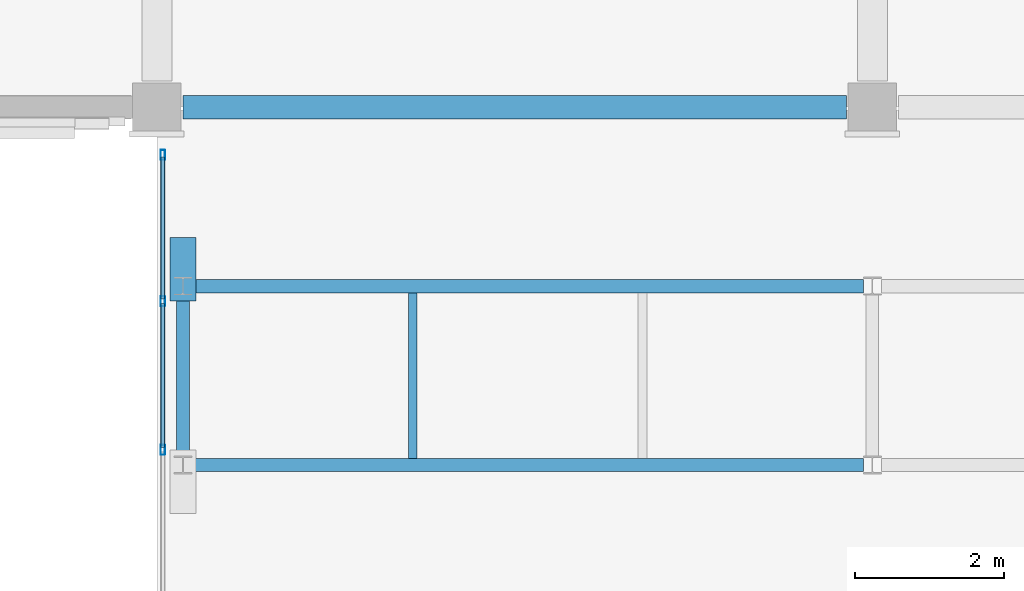
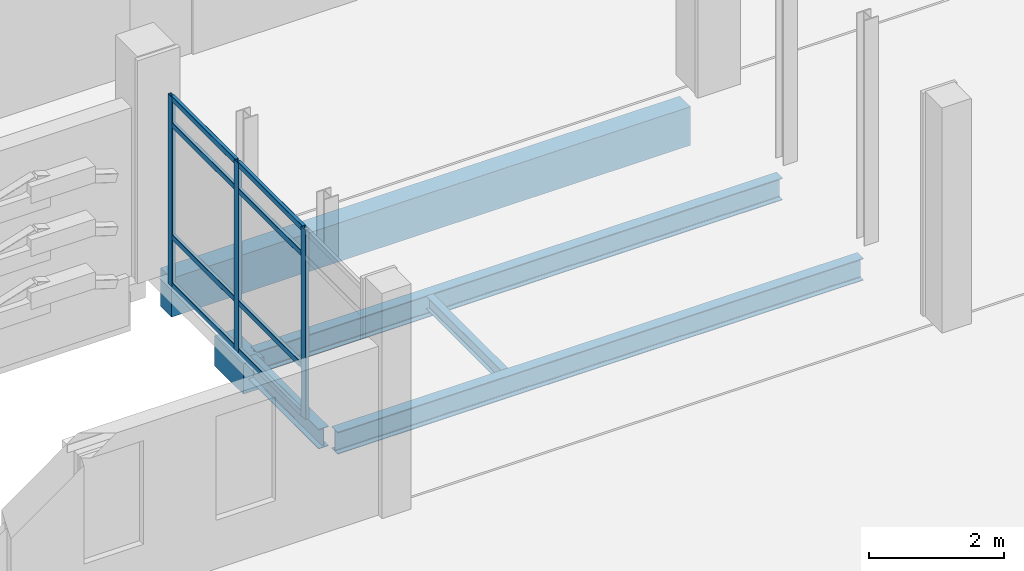
# One storey, part 15 of 72: 11 members, 6 beams, 1 element without a shape of its own.
"""IFC4 building model written with IfcOpenShell, lengths in metres."""

from ifc_helpers import new_model, si_unit, direction, frame, origin, origin_2d, place, context, subcontext, project, spatial, rectangle, hollow_rectangle, i_section, extrude, material, layer, layer_set, material_profile, profile_set, type_object, element, aggregate, save


model = new_model("IFC4")

# Units and contexts
model_context = context("Model", 3, precision=1e-05, world=origin(), true_north=direction((0.0, 1.0)))
body_context = subcontext(model_context, "Body", "Model", "MODEL_VIEW")
ifc_project = project(units=[si_unit("LENGTHUNIT", "METRE"), si_unit("AREAUNIT", "SQUARE_METRE"), si_unit("VOLUMEUNIT", "CUBIC_METRE"), si_unit("PLANEANGLEUNIT", "RADIAN"), si_unit("MASSUNIT", "GRAM", prefix="KILO")], contexts=[model_context])

# Site, building, storey
site_placement = place(None, origin())
site = spatial("IfcSite", under=ifc_project, at=site_placement, CompositionType="ELEMENT")
building_placement = place(site_placement, origin())
building = spatial("IfcBuilding", under=site, at=building_placement, Name="Asteropetra Specialist Clinic", CompositionType="ELEMENT")
storey_placement = place(building_placement, frame((0.0, 0.0, 12.580078125)))
storey = spatial("IfcBuildingStorey", under=building, at=storey_placement, Name="L03", CompositionType="ELEMENT", Elevation=12.580078125)

# Beams
ifc_material_1 = material(Name="Concrete C35/45", Category="concrete")
ifc_material_profile_1 = material_profile(ifc_material_1, rectangle(XDim=0.35009765625, YDim=0.550048828125, at=origin_2d()), Name="RCB 350x550")
ifc_profile_set_1 = profile_set([ifc_material_profile_1], Name="Concrete C35/45")
beam_type_1 = type_object("IfcBeamType", Name="BM-RC350x550", PredefinedType="BEAM", material=ifc_profile_set_1)
beam_1_placement = place(storey_placement, frame((9.949951171875, 67.0, -0.56005859375), z_axis=(0.0, 1.0, 0.0), x_axis=(-1.0, 0.0, 0.0)))
element("IfcBeam", 1, at=beam_1_placement, inside=storey, type_object=beam_type_1, Name="Bridge Bearing Seat Corbel CRB-18", PredefinedType="BEAM", context=body_context, shape_type="SweptSolid", body=[
    extrude(rectangle(XDim=0.35009765625, YDim=0.550048828125, at=origin_2d()), origin(), (0.0, 0.0, 1.0), 0.85009765625),
])
ifc_material_2 = material(Name="Steel S355", Category="steel")
ifc_material_profile_2 = material_profile(ifc_material_2, i_section(OverallWidth=0.169921875, OverallDepth=0.360107421875, WebThickness=0.008056640625, FlangeThickness=0.0126953125, FilletRadius=0.01806640625, at=origin_2d()), Name="IPE 360")
ifc_profile_set_2 = profile_set([ifc_material_profile_2], Name="Steel S355")
beam_type_2 = type_object("IfcBeamType", Name="BM-STL-IPE360", PredefinedType="BEAM", material=ifc_profile_set_2)
beam_2_placement = place(storey_placement, frame((9.949951171875, 64.919921875, -0.420166015625), z_axis=(0.0, 1.0, 0.0), x_axis=(-1.0, 0.0, 0.0)))
element("IfcBeam", 2, at=beam_2_placement, inside=storey, type_object=beam_type_2, Name="Beam BBMS4-1665", PredefinedType="BEAM", context=body_context, shape_type="SweptSolid", body=[
    extrude(i_section(OverallWidth=0.169921875, OverallDepth=0.360107421875, WebThickness=0.008056640625, FlangeThickness=0.0126953125, FilletRadius=0.01806640625, at=origin_2d()), origin(), (0.0, 0.0, 1.0), 2.16015625),
])
ifc_material_3 = material(Name="Steel S355", Category="steel")
ifc_material_profile_3 = material_profile(ifc_material_3, i_section(OverallWidth=0.179931640625, OverallDepth=0.39990234375, WebThickness=0.008544921875, FlangeThickness=0.013427734375, FilletRadius=0.02099609375, at=origin_2d()), Name="IPE 400")
ifc_profile_set_3 = profile_set([ifc_material_profile_3], Name="Steel S355")
beam_type_3 = type_object("IfcBeamType", Name="BM-STL-IPE400", PredefinedType="BEAM", material=ifc_profile_set_3)
for number, where, z_axis, x_axis, name in (
    (3, (10.070068359375, 64.800048828125, -0.440185546875), (1.0, 0.0, 0.0), (0.0, 1.0, 0.0), "Beam BBMS3-1661"),
    (4, (10.070068359375, 67.199951171875, -0.440185546875), (1.0, 0.0, 0.0), (0.0, 1.0, 0.0), "Beam BBMS3-1663"),
):
    element("IfcBeam", number, at=place(storey_placement, frame(where, z_axis=z_axis, x_axis=x_axis)), inside=storey, type_object=beam_type_3, Name=name, PredefinedType="BEAM", context=body_context, shape_type="SweptSolid", body=[
        extrude(i_section(OverallWidth=0.179931640625, OverallDepth=0.39990234375, WebThickness=0.008544921875, FlangeThickness=0.013427734375, FilletRadius=0.02099609375, at=origin_2d()), origin(), (0.0, 0.0, 1.0), 9.010009765625),
    ])

# Curtain wall, members
ifc_material_4 = material(Name="Aluminium and low-E glass", Category="aluminium")
ifc_layer = layer(ifc_material_4, 0.14990234375)
ifc_layer_set = layer_set([ifc_layer], Name="Aluminium and low-E glass")
curtain_wall_type = type_object("IfcCurtainWallType", Name="CW-SYS-08", PredefinedType="USERDEFINED", material=ifc_layer_set)
curtain_wall_placement = place(storey_placement, origin())
curtain_wall = element("IfcCurtainWall", 5, at=curtain_wall_placement, inside=storey, type_object=curtain_wall_type, Name="Curtain Wall CW-107", ObjectType="STICK GLAZED COLONNADE", PredefinedType="USERDEFINED")
ifc_material_5 = material(Name="Aluminium 6063-T6", Category="aluminium")
ifc_material_profile_4 = material_profile(ifc_material_5, hollow_rectangle(XDim=0.06005859375, YDim=0.135009765625, WallThickness=0.00341796875, InnerFilletRadius=0.00341796875, OuterFilletRadius=0.007080078125, at=origin_2d()), Name="MUL 135x60x3.5")
ifc_profile_set_4 = profile_set([ifc_material_profile_4], Name="Aluminium 6063-T6")
member_type_1 = type_object("IfcMemberType", Name="CWM-135x60", PredefinedType="MULLION", material=ifc_profile_set_4)
member_1_placement = place(storey_placement, frame((9.679931640625, 65.00341796875, 0.0), z_axis=(0.0, 0.0, 1.0), x_axis=(-1.0, 0.0, 0.0)))
member_1 = element("IfcMember", 6, at=member_1_placement, type_object=member_type_1, Name="CW-107 mullion 2", PredefinedType="MULLION", context=body_context, shape_type="SweptSolid", body=[
    extrude(hollow_rectangle(XDim=0.06005859375, YDim=0.135009765625, WallThickness=0.00341796875, InnerFilletRadius=0.00341796875, OuterFilletRadius=0.007080078125, at=origin_2d()), origin(), (0.0, 0.0, 1.0), 3.429931640625),
])
member_2_placement = place(storey_placement, frame((9.679931640625, 66.99658203125, 0.0), z_axis=(0.0, 0.0, 1.0), x_axis=(-1.0, 0.0, 0.0)))
member_2 = element("IfcMember", 7, at=member_2_placement, type_object=member_type_1, Name="CW-107 mullion 3", PredefinedType="MULLION", context=body_context, shape_type="SweptSolid", body=[
    extrude(hollow_rectangle(XDim=0.06005859375, YDim=0.135009765625, WallThickness=0.00341796875, InnerFilletRadius=0.00341796875, OuterFilletRadius=0.007080078125, at=origin_2d()), origin(), (0.0, 0.0, 1.0), 3.429931640625),
])
member_3_placement = place(storey_placement, frame((9.679931640625, 68.9599609375, 0.0), z_axis=(0.0, 0.0, 1.0), x_axis=(-1.0, 0.0, 0.0)))
member_3 = element("IfcMember", 8, at=member_3_placement, type_object=member_type_1, Name="CW-107 mullion 4", PredefinedType="MULLION", context=body_context, shape_type="SweptSolid", body=[
    extrude(hollow_rectangle(XDim=0.06005859375, YDim=0.135009765625, WallThickness=0.00341796875, InnerFilletRadius=0.00341796875, OuterFilletRadius=0.007080078125, at=origin_2d()), origin(), (0.0, 0.0, 1.0), 3.429931640625),
])
ifc_material_6 = material(Name="Aluminium 6063-T6", Category="aluminium")
ifc_material_profile_5 = material_profile(ifc_material_6, hollow_rectangle(XDim=0.06005859375, YDim=0.10009765625, WallThickness=0.00341796875, InnerFilletRadius=0.00341796875, OuterFilletRadius=0.007080078125, at=origin_2d()), Name="TRN 100x60x3.5")
ifc_profile_set_5 = profile_set([ifc_material_profile_5], Name="Aluminium 6063-T6")
member_type_2 = type_object("IfcMemberType", Name="CWT-100x60", PredefinedType="USERDEFINED", material=ifc_profile_set_5)
member_4_placement = place(storey_placement, frame((9.679931640625, 65.033447265625, 0.030029296875), z_axis=(0.0, 1.0, 0.0), x_axis=(-1.0, 0.0, 0.0)))
member_4 = element("IfcMember", 9, at=member_4_placement, type_object=member_type_2, Name="CW-107 transom 2.1", ObjectType="TRANSOM", PredefinedType="USERDEFINED", context=body_context, shape_type="SweptSolid", body=[
    extrude(hollow_rectangle(XDim=0.06005859375, YDim=0.10009765625, WallThickness=0.00341796875, InnerFilletRadius=0.00341796875, OuterFilletRadius=0.007080078125, at=origin_2d()), origin(), (0.0, 0.0, 1.0), 1.93310546875),
])
member_5_placement = place(storey_placement, frame((9.679931640625, 65.033447265625, 0.89990234375), z_axis=(0.0, 1.0, 0.0), x_axis=(-1.0, 0.0, 0.0)))
member_5 = element("IfcMember", 10, at=member_5_placement, type_object=member_type_2, Name="CW-107 transom 2.2", ObjectType="TRANSOM", PredefinedType="USERDEFINED", context=body_context, shape_type="SweptSolid", body=[
    extrude(hollow_rectangle(XDim=0.06005859375, YDim=0.10009765625, WallThickness=0.00341796875, InnerFilletRadius=0.00341796875, OuterFilletRadius=0.007080078125, at=origin_2d()), origin(), (0.0, 0.0, 1.0), 1.93310546875),
])
member_6_placement = place(storey_placement, frame((9.679931640625, 65.033447265625, 2.929931640625), z_axis=(0.0, 1.0, 0.0), x_axis=(-1.0, 0.0, 0.0)))
member_6 = element("IfcMember", 11, at=member_6_placement, type_object=member_type_2, Name="CW-107 transom 2.3", ObjectType="TRANSOM", PredefinedType="USERDEFINED", context=body_context, shape_type="SweptSolid", body=[
    extrude(hollow_rectangle(XDim=0.06005859375, YDim=0.10009765625, WallThickness=0.00341796875, InnerFilletRadius=0.00341796875, OuterFilletRadius=0.007080078125, at=origin_2d()), origin(), (0.0, 0.0, 1.0), 1.93310546875),
])
member_7_placement = place(storey_placement, frame((9.679931640625, 65.033447265625, 3.39990234375), z_axis=(0.0, 1.0, 0.0), x_axis=(-1.0, 0.0, 0.0)))
member_7 = element("IfcMember", 12, at=member_7_placement, type_object=member_type_2, Name="CW-107 transom 2.4", ObjectType="TRANSOM", PredefinedType="USERDEFINED", context=body_context, shape_type="SweptSolid", body=[
    extrude(hollow_rectangle(XDim=0.06005859375, YDim=0.10009765625, WallThickness=0.00341796875, InnerFilletRadius=0.00341796875, OuterFilletRadius=0.007080078125, at=origin_2d()), origin(), (0.0, 0.0, 1.0), 1.93310546875),
])
member_8_placement = place(storey_placement, frame((9.679931640625, 67.026611328125, 0.030029296875), z_axis=(0.0, 1.0, 0.0), x_axis=(-1.0, 0.0, 0.0)))
member_8 = element("IfcMember", 13, at=member_8_placement, type_object=member_type_2, Name="CW-107 transom 3.1", ObjectType="TRANSOM", PredefinedType="USERDEFINED", context=body_context, shape_type="SweptSolid", body=[
    extrude(hollow_rectangle(XDim=0.06005859375, YDim=0.10009765625, WallThickness=0.00341796875, InnerFilletRadius=0.00341796875, OuterFilletRadius=0.007080078125, at=origin_2d()), origin(), (0.0, 0.0, 1.0), 1.9033203125),
])
member_9_placement = place(storey_placement, frame((9.679931640625, 67.026611328125, 0.89990234375), z_axis=(0.0, 1.0, 0.0), x_axis=(-1.0, 0.0, 0.0)))
member_9 = element("IfcMember", 14, at=member_9_placement, type_object=member_type_2, Name="CW-107 transom 3.2", ObjectType="TRANSOM", PredefinedType="USERDEFINED", context=body_context, shape_type="SweptSolid", body=[
    extrude(hollow_rectangle(XDim=0.06005859375, YDim=0.10009765625, WallThickness=0.00341796875, InnerFilletRadius=0.00341796875, OuterFilletRadius=0.007080078125, at=origin_2d()), origin(), (0.0, 0.0, 1.0), 1.9033203125),
])
member_10_placement = place(storey_placement, frame((9.679931640625, 67.026611328125, 2.929931640625), z_axis=(0.0, 1.0, 0.0), x_axis=(-1.0, 0.0, 0.0)))
member_10 = element("IfcMember", 15, at=member_10_placement, type_object=member_type_2, Name="CW-107 transom 3.3", ObjectType="TRANSOM", PredefinedType="USERDEFINED", context=body_context, shape_type="SweptSolid", body=[
    extrude(hollow_rectangle(XDim=0.06005859375, YDim=0.10009765625, WallThickness=0.00341796875, InnerFilletRadius=0.00341796875, OuterFilletRadius=0.007080078125, at=origin_2d()), origin(), (0.0, 0.0, 1.0), 1.9033203125),
])
member_11_placement = place(storey_placement, frame((9.679931640625, 67.026611328125, 3.39990234375), z_axis=(0.0, 1.0, 0.0), x_axis=(-1.0, 0.0, 0.0)))
member_11 = element("IfcMember", 16, at=member_11_placement, type_object=member_type_2, Name="CW-107 transom 3.4", ObjectType="TRANSOM", PredefinedType="USERDEFINED", context=body_context, shape_type="SweptSolid", body=[
    extrude(hollow_rectangle(XDim=0.06005859375, YDim=0.10009765625, WallThickness=0.00341796875, InnerFilletRadius=0.00341796875, OuterFilletRadius=0.007080078125, at=origin_2d()), origin(), (0.0, 0.0, 1.0), 1.9033203125),
])
aggregate(curtain_wall, [member_1, member_2, member_3, member_4, member_5, member_6, member_7, member_8, member_9, member_10, member_11])

# Beams
ifc_material_7 = material(Name="Steel S355", Category="steel")
ifc_material_profile_6 = material_profile(ifc_material_7, i_section(OverallWidth=0.1201171875, OverallDepth=0.239990234375, WebThickness=0.006103515625, FlangeThickness=0.009765625, FilletRadius=0.014892578125, at=origin_2d()), Name="IPE 240")
ifc_profile_set_6 = profile_set([ifc_material_profile_6], Name="Steel S355")
beam_type_4 = type_object("IfcBeamType", Name="JST-STL-IPE240", PredefinedType="JOIST", material=ifc_profile_set_6)
beam_3_placement = place(storey_placement, frame((13.033203125, 64.889892578125, -0.360107421875), z_axis=(0.0, 1.0, 0.0), x_axis=(-1.0, 0.0, 0.0)))
element("IfcBeam", 17, at=beam_3_placement, inside=storey, type_object=beam_type_4, Name="Joist JJSTS1-1668", PredefinedType="JOIST", context=body_context, shape_type="SweptSolid", body=[
    extrude(i_section(OverallWidth=0.1201171875, OverallDepth=0.239990234375, WebThickness=0.006103515625, FlangeThickness=0.009765625, FilletRadius=0.014892578125, at=origin_2d()), origin(), (0.0, 0.0, 1.0), 2.22021484375),
])
ifc_material_8 = material(Name="Concrete C35/45", Category="concrete")
ifc_material_profile_7 = material_profile(ifc_material_8, rectangle(XDim=0.320068359375, YDim=0.699951171875, at=origin_2d()), Name="RCS 320x700")
ifc_profile_set_7 = profile_set([ifc_material_profile_7], Name="Concrete C35/45")
beam_type_5 = type_object("IfcBeamType", Name="SPN-RC320x700", PredefinedType="SPANDREL", material=ifc_profile_set_7)
beam_4_placement = place(storey_placement, frame((9.949951171875, 69.60009765625, -0.630126953125), z_axis=(1.0, 0.0, 0.0), x_axis=(0.0, 1.0, 0.0)))
element("IfcBeam", 18, at=beam_4_placement, inside=storey, type_object=beam_type_5, Name="Beam BSPN02-1568", PredefinedType="SPANDREL", context=body_context, shape_type="SweptSolid", body=[
    extrude(rectangle(XDim=0.320068359375, YDim=0.699951171875, at=origin_2d()), origin(), (0.0, 0.0, 1.0), 8.900146484375),
])

save(model, "model.ifc")
